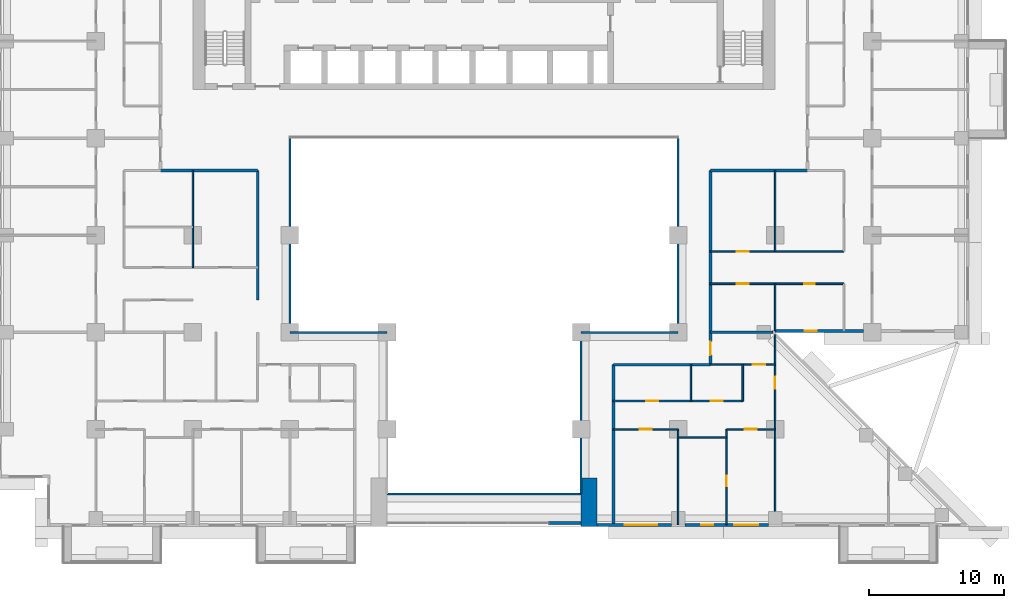
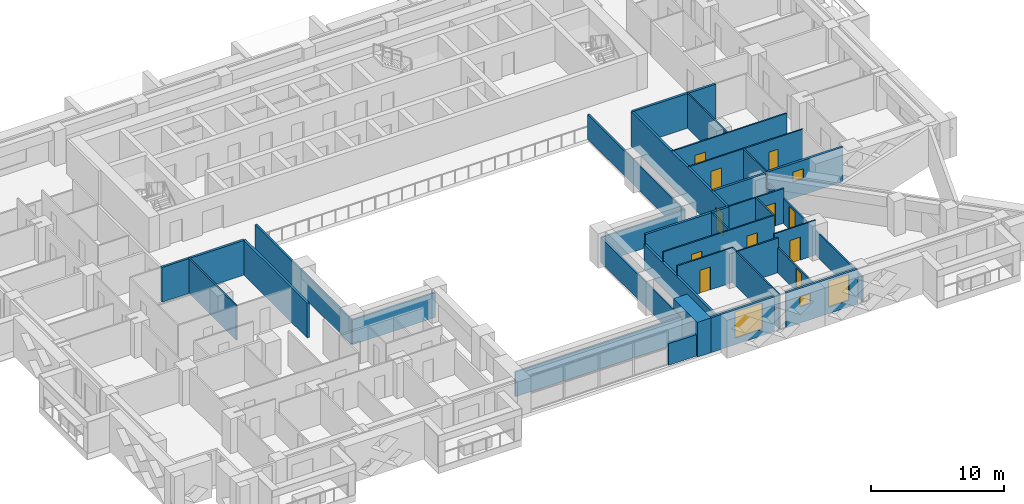
# One storey, part 8 of 17: 33 walls, 11 doors, 4 windows, 15 openings.
"""IFC4 building model written with IfcOpenShell, lengths in metres."""

from ifc_helpers import new_model, si_unit, direction, frame, frame_2d, origin, place, context, subcontext, project, spatial, rectangle, extrude, material, layer, layer_set, type_object, element, fill, save


model = new_model("IFC4")

# Units and contexts
model_context = context("Model", 3, precision=1e-05, world=origin(), true_north=direction((0.0, 1.0)))
body_context = subcontext(model_context, "Body", "Model", "MODEL_VIEW")
ifc_project = project(units=[si_unit("LENGTHUNIT", "METRE"), si_unit("AREAUNIT", "SQUARE_METRE"), si_unit("VOLUMEUNIT", "CUBIC_METRE"), si_unit("PLANEANGLEUNIT", "RADIAN"), si_unit("MASSUNIT", "GRAM", prefix="KILO")], contexts=[model_context])

# Site, building, storey
site_placement = place(None, origin())
site = spatial("IfcSite", under=ifc_project, at=site_placement, CompositionType="ELEMENT")
building_placement = place(site_placement, origin())
building = spatial("IfcBuilding", under=site, at=building_placement, Name="Saffron Iwan Residences", CompositionType="ELEMENT")
storey_placement = place(building_placement, frame((0.0, 0.0, 76.0)))
storey = spatial("IfcBuildingStorey", under=building, at=storey_placement, Name="L19", CompositionType="ELEMENT", Elevation=76.0)

# Walls
ifc_material_1 = material(Name="Fire-rated glazing", Category="glass")
ifc_layer_1 = layer(ifc_material_1, 0.14990234375)
ifc_layer_set_1 = layer_set([ifc_layer_1], Name="Fire-rated glazing")
wall_type_1 = type_object("IfcWallType", Name="Atrium glazed screen 150", PredefinedType="SOLIDWALL", material=ifc_layer_set_1)
wall_1_placement = place(storey_placement, frame((43.199951171875, 36.0, 0.0), z_axis=(0.0, 0.0, 1.0), x_axis=(1.0, 0.0, 0.0)))
element("IfcWall", 1, at=wall_1_placement, inside=storey, type_object=wall_type_1, Name="W-L19-SCREEN-h36-43.2", PredefinedType="SOLIDWALL", context=body_context, shape_type="SweptSolid", body=[
    extrude(rectangle(XDim=14.400146484375, YDim=0.14990234375, at=frame_2d((7.2001953125, 0.0))), origin(), (0.0, 0.0, 1.0), 2.280029296875),
])
for number, where, z_axis, x_axis, name in (
    (2, (36.0, 48.0, 0.0), (0.0, 0.0, 1.0), (1.0, 0.0, 0.0), "W-L19-SCREEN-h48-36"),
    (3, (57.60009765625, 48.0, 0.0), (0.0, 0.0, 1.0), (1.0, 0.0, 0.0), "W-L19-SCREEN-h48-57.6"),
):
    element("IfcWall", number, at=place(storey_placement, frame(where, z_axis=z_axis, x_axis=x_axis)), inside=storey, type_object=wall_type_1, Name=name, PredefinedType="SOLIDWALL", context=body_context, shape_type="SweptSolid", body=[
        extrude(rectangle(XDim=7.199951171875, YDim=0.14990234375, at=frame_2d((3.60009765625, 0.0))), origin(), (0.0, 0.0, 1.0), 2.280029296875),
    ])
wall_2_placement = place(storey_placement, frame((36.0, 48.0, 0.0), z_axis=(0.0, 0.0, 1.0), x_axis=(0.0, 1.0, 0.0)))
element("IfcWall", 4, at=wall_2_placement, inside=storey, type_object=wall_type_1, Name="W-L19-SCREEN-v36-48", PredefinedType="SOLIDWALL", context=body_context, shape_type="SweptSolid", body=[
    extrude(rectangle(XDim=14.39990234375, YDim=0.14990234375, at=frame_2d((7.199951171875, 0.0))), origin(), (0.0, 0.0, 1.0), 2.280029296875),
])
wall_3_placement = place(storey_placement, frame((57.60009765625, 36.0, 0.0), z_axis=(0.0, 0.0, 1.0), x_axis=(0.0, 1.0, 0.0)))
element("IfcWall", 5, at=wall_3_placement, inside=storey, type_object=wall_type_1, Name="W-L19-SCREEN-v57.6-36", PredefinedType="SOLIDWALL", context=body_context, shape_type="SweptSolid", body=[
    extrude(rectangle(XDim=12.0, YDim=0.14990234375, at=frame_2d((6.0, 0.0))), origin(), (0.0, 0.0, 1.0), 2.280029296875),
])
wall_4_placement = place(storey_placement, frame((64.800048828125, 48.0, 0.0), z_axis=(0.0, 0.0, 1.0), x_axis=(0.0, 1.0, 0.0)))
element("IfcWall", 6, at=wall_4_placement, inside=storey, type_object=wall_type_1, Name="W-L19-SCREEN-v64.8-48", PredefinedType="SOLIDWALL", context=body_context, shape_type="SweptSolid", body=[
    extrude(rectangle(XDim=14.39990234375, YDim=0.14990234375, at=frame_2d((7.199951171875, 0.0))), origin(), (0.0, 0.0, 1.0), 2.280029296875),
])

# Wall, opening, window
ifc_material_2 = material(Name="Concrete C40/50", Category="concrete")
ifc_layer_2 = layer(ifc_material_2, 0.199951171875)
ifc_layer_set_2 = layer_set([ifc_layer_2], Name="Concrete C40/50")
wall_type_2 = type_object("IfcWallType", Name="EXTERNAL WALL 200", PredefinedType="SOLIDWALL", material=ifc_layer_set_2)
wall_5_placement = place(storey_placement, frame((71.988525390625, 48.10009765625, 0.0), z_axis=(0.0, 0.0, 1.0), x_axis=(1.0, 0.0, 0.0)))
wall_5 = element("IfcWall", 7, at=wall_5_placement, inside=storey, type_object=wall_type_2, Name="External wall L19 F1.0", PredefinedType="SOLIDWALL", context=body_context, shape_type="SweptSolid", body=[
    extrude(rectangle(XDim=6.5615234375, YDim=0.199951171875, at=frame_2d((3.28076171875, 0.0))), origin(), (0.0, 0.0, 1.0), 3.179931640625),
])
opening_1_placement = place(wall_5_placement, frame((2.205810546875, 0.0, 1.5)))
opening_1 = element("IfcOpeningElement", 8, at=opening_1_placement, cuts=wall_5, Name="Opening W6", PredefinedType="OPENING", context=body_context, shape_type="SweptSolid", body=[
    extrude(rectangle(XDim=0.89990234375, YDim=0.89990234375, at=frame_2d((0.449951171875, 0.449951171875))), frame((0.0, 0.10986328125, 0.0), z_axis=(0.0, -1.0, 0.0), x_axis=(1.0, 0.0, 0.0)), (0.0, 0.0, 1.0), 0.219970703125),
])
ifc_material_3 = material(Name="Clear glass, laminated double glazed", Category="glass")
window_type_1 = type_object("IfcWindowType", Name="WINDOW 900 x 900 BATH", PartitioningType="SINGLE_PANEL", PredefinedType="WINDOW", material=ifc_material_3)
window_1_placement = place(opening_1_placement, origin())
window_1 = element("IfcWindow", 9, at=window_1_placement, inside=storey, type_object=window_type_1, Name="Window L19 F1.0", OverallHeight=0.89990234375, OverallWidth=0.89990234375, PartitioningType="SINGLE_PANEL", PredefinedType="WINDOW", context=body_context, shape_type="SweptSolid", body=[
    extrude(rectangle(XDim=0.89990234375, YDim=0.89990234375, at=frame_2d((0.449951171875, 0.449951171875))), frame((0.0, 0.030029296875, 0.0), z_axis=(0.0, -1.0, 0.0), x_axis=(1.0, 0.0, 0.0)), (0.0, 0.0, 1.0), 0.06005859375),
])
fill(opening_1, window_1)

wall_6_placement = place(storey_placement, frame((58.800048828125, 33.699951171875, 0.0), z_axis=(0.0, 0.0, 1.0), x_axis=(1.0, 0.0, 0.0)))
wall_6 = element("IfcWall", 10, at=wall_6_placement, inside=storey, type_object=wall_type_2, Name="External wall L19 F11.4", PredefinedType="SOLIDWALL", context=body_context, shape_type="SweptSolid", body=[
    extrude(rectangle(XDim=5.5, YDim=0.199951171875, at=frame_2d((2.75, 0.0))), origin(), (0.0, 0.0, 1.0), 3.179931640625),
])
opening_2_placement = place(wall_6_placement, frame((2.050048828125, 0.0, 0.60009765625)))
opening_2 = element("IfcOpeningElement", 11, at=opening_2_placement, cuts=wall_6, Name="Opening W1", PredefinedType="OPENING", context=body_context, shape_type="SweptSolid", body=[
    extrude(rectangle(XDim=2.39990234375, YDim=2.39990234375, at=frame_2d((1.199951171875, 1.199951171875))), frame((0.0, 0.10986328125, 0.0), z_axis=(0.0, -1.0, 0.0), x_axis=(1.0, 0.0, 0.0)), (0.0, 0.0, 1.0), 0.219970703125),
])
window_type_2 = type_object("IfcWindowType", Name="WINDOW 2400 x 2400", PartitioningType="DOUBLE_PANEL_VERTICAL", PredefinedType="WINDOW", material=ifc_material_3)
window_2_placement = place(opening_2_placement, origin())
window_2 = element("IfcWindow", 12, at=window_2_placement, inside=storey, type_object=window_type_2, Name="Window L19 F11.0", OverallHeight=2.39990234375, OverallWidth=2.39990234375, PartitioningType="DOUBLE_PANEL_VERTICAL", PredefinedType="WINDOW", context=body_context, shape_type="SweptSolid", body=[
    extrude(rectangle(XDim=2.39990234375, YDim=2.39990234375, at=frame_2d((1.199951171875, 1.199951171875))), frame((0.0, 0.030029296875, 0.0), z_axis=(0.0, -1.0, 0.0), x_axis=(1.0, 0.0, 0.0)), (0.0, 0.0, 1.0), 0.06005859375),
])
fill(opening_2, window_2)

# Wall, openings, windows
wall_7_placement = place(storey_placement, frame((65.300048828125, 33.699951171875, 0.0), z_axis=(0.0, 0.0, 1.0), x_axis=(1.0, 0.0, 0.0)))
wall_7 = element("IfcWall", 13, at=wall_7_placement, inside=storey, type_object=wall_type_2, Name="External wall L19 F11.5", PredefinedType="SOLIDWALL", context=body_context, shape_type="SweptSolid", body=[
    extrude(rectangle(XDim=6.199951171875, YDim=0.199951171875, at=frame_2d((3.10009765625, 0.0))), origin(), (0.0, 0.0, 1.0), 3.179931640625),
])
opening_3_placement = place(wall_7_placement, frame((3.64990234375, 0.0, 0.60009765625)))
opening_3 = element("IfcOpeningElement", 14, at=opening_3_placement, cuts=wall_7, Name="Opening W8", PredefinedType="OPENING", context=body_context, shape_type="SweptSolid", body=[
    extrude(rectangle(XDim=1.800048828125, YDim=2.39990234375, at=frame_2d((0.89990234375, 1.199951171875))), frame((0.0, 0.10986328125, 0.0), z_axis=(0.0, -1.0, 0.0), x_axis=(1.0, 0.0, 0.0)), (0.0, 0.0, 1.0), 0.219970703125),
])
opening_4_placement = place(wall_7_placement, frame((1.199951171875, 0.0, 1.5)))
opening_4 = element("IfcOpeningElement", 15, at=opening_4_placement, cuts=wall_7, Name="Opening W6", PredefinedType="OPENING", context=body_context, shape_type="SweptSolid", body=[
    extrude(rectangle(XDim=0.89990234375, YDim=0.89990234375, at=frame_2d((0.449951171875, 0.449951171875))), frame((0.0, 0.10986328125, 0.0), z_axis=(0.0, -1.0, 0.0), x_axis=(1.0, 0.0, 0.0)), (0.0, 0.0, 1.0), 0.219970703125),
])
window_type_3 = type_object("IfcWindowType", Name="WINDOW 1800 x 2400", PartitioningType="DOUBLE_PANEL_VERTICAL", PredefinedType="WINDOW", material=ifc_material_3)
window_3_placement = place(opening_3_placement, origin())
window_3 = element("IfcWindow", 16, at=window_3_placement, inside=storey, type_object=window_type_3, Name="Window L19 F11.0", OverallHeight=2.39990234375, OverallWidth=1.800048828125, PartitioningType="DOUBLE_PANEL_VERTICAL", PredefinedType="WINDOW", context=body_context, shape_type="SweptSolid", body=[
    extrude(rectangle(XDim=1.800048828125, YDim=2.39990234375, at=frame_2d((0.89990234375, 1.199951171875))), frame((0.0, 0.030029296875, 0.0), z_axis=(0.0, -1.0, 0.0), x_axis=(1.0, 0.0, 0.0)), (0.0, 0.0, 1.0), 0.06005859375),
])
fill(opening_3, window_3)
window_4_placement = place(opening_4_placement, origin())
window_4 = element("IfcWindow", 17, at=window_4_placement, inside=storey, type_object=window_type_1, Name="Window L19 F11.1", OverallHeight=0.89990234375, OverallWidth=0.89990234375, PartitioningType="SINGLE_PANEL", PredefinedType="WINDOW", context=body_context, shape_type="SweptSolid", body=[
    extrude(rectangle(XDim=0.89990234375, YDim=0.89990234375, at=frame_2d((0.449951171875, 0.449951171875))), frame((0.0, 0.030029296875, 0.0), z_axis=(0.0, -1.0, 0.0), x_axis=(1.0, 0.0, 0.0)), (0.0, 0.0, 1.0), 0.06005859375),
])
fill(opening_4, window_4)

# Walls
wall_8_placement = place(storey_placement, frame((55.199951171875, 33.85009765625, 0.0), z_axis=(0.0, 0.0, 1.0), x_axis=(1.0, 0.0, 0.0)))
element("IfcWall", 18, at=wall_8_placement, inside=storey, type_object=wall_type_2, Name="External wall infill CWB-L19-0", PredefinedType="SOLIDWALL", context=body_context, shape_type="SweptSolid", body=[
    extrude(rectangle(XDim=2.400146484375, YDim=0.199951171875, at=frame_2d((1.2001953125, 0.0))), origin(), (0.0, 0.0, 1.0), 1.97998046875),
])
ifc_material_4 = material(Name="Fire-rated gypsum board wall")
ifc_layer_3 = layer(ifc_material_4, 0.199951171875)
ifc_layer_set_3 = layer_set([ifc_layer_3], Name="Fire-rated gypsum board wall")
wall_type_3 = type_object("IfcWallType", Name="Flat demising wall 200", PredefinedType="SOLIDWALL", material=ifc_layer_set_3)
wall_9_placement = place(storey_placement, frame((67.199951171875, 48.0, 0.0), z_axis=(0.0, 0.0, 1.0), x_axis=(1.0, 0.0, 0.0)))
element("IfcWall", 19, at=wall_9_placement, inside=storey, type_object=wall_type_3, Name="W-L19-DEMISE-h48-67.2", PredefinedType="SOLIDWALL", context=body_context, shape_type="SweptSolid", body=[
    extrude(rectangle(XDim=4.623046875, YDim=0.199951171875, at=frame_2d((2.3115234375, 0.0))), origin(), (0.0, 0.0, 1.0), 3.179931640625),
])
ifc_material_5 = material(Name="Gypsum board partition")
ifc_layer_4 = layer(ifc_material_5, 0.1201171875)
ifc_layer_set_4 = layer_set([ifc_layer_4], Name="Gypsum board partition")
wall_type_4 = type_object("IfcWallType", Name="Flat partition 120", PredefinedType="PARTITIONING", material=ifc_layer_set_4)
wall_10_placement = place(storey_placement, frame((64.800048828125, 40.199951171875, 0.0), z_axis=(0.0, 0.0, 1.0), x_axis=(1.0, 0.0, 0.0)))
element("IfcWall", 20, at=wall_10_placement, inside=storey, type_object=wall_type_4, Name="W-L19-PART-h40.2-64.8", PredefinedType="PARTITIONING", context=body_context, shape_type="SweptSolid", body=[
    extrude(rectangle(XDim=3.599853515625, YDim=0.1201171875, at=frame_2d((1.7998046875, 0.0))), origin(), (0.0, 0.0, 1.0), 3.179931640625),
])

# Wall, opening, door
wall_11_placement = place(storey_placement, frame((60.0, 40.800048828125, 0.0), z_axis=(0.0, 0.0, 1.0), x_axis=(1.0, 0.0, 0.0)))
wall_11 = element("IfcWall", 21, at=wall_11_placement, inside=storey, type_object=wall_type_4, Name="W-L19-PART-h40.8-60", PredefinedType="PARTITIONING", context=body_context, shape_type="SweptSolid", body=[
    extrude(rectangle(XDim=4.800048828125, YDim=0.1201171875, at=frame_2d((2.39990234375, 0.0))), origin(), (0.0, 0.0, 1.0), 3.179931640625),
])
opening_5_placement = place(wall_11_placement, frame((1.949951171875, 0.0, 0.0)))
opening_5 = element("IfcOpeningElement", 22, at=opening_5_placement, cuts=wall_11, Name="Opening FD2", PredefinedType="OPENING", context=body_context, shape_type="SweptSolid", body=[
    extrude(rectangle(XDim=0.89990234375, YDim=2.10009765625, at=frame_2d((0.449951171875, 1.050048828125))), frame((0.0, 0.070068359375, 0.0), z_axis=(0.0, -1.0, 0.0), x_axis=(1.0, 0.0, 0.0)), (0.0, 0.0, 1.0), 0.14013671875),
])
ifc_material_6 = material(Name="Timber door", Category="wood")
door_type_1 = type_object("IfcDoorType", Name="Flat door 900", OperationType="NOTDEFINED", PredefinedType="DOOR", material=ifc_material_6)
door_1_placement = place(opening_5_placement, origin())
door_1 = element("IfcDoor", 23, at=door_1_placement, inside=storey, type_object=door_type_1, Name="Door L19-047", OperationType="SINGLE_SWING_LEFT", OverallHeight=2.10009765625, OverallWidth=0.89990234375, PredefinedType="DOOR", context=body_context, shape_type="SweptSolid", body=[
    extrude(rectangle(XDim=0.89990234375, YDim=2.10009765625, at=frame_2d((0.449951171875, 1.050048828125))), frame((0.0, 0.02490234375, 0.0), z_axis=(0.0, -1.0, 0.0), x_axis=(1.0, 0.0, 0.0)), (0.0, 0.0, 1.0), 0.050048828125),
])
fill(opening_5, door_1)

wall_12_placement = place(storey_placement, frame((68.39990234375, 40.800048828125, 0.0), z_axis=(0.0, 0.0, 1.0), x_axis=(1.0, 0.0, 0.0)))
wall_12 = element("IfcWall", 24, at=wall_12_placement, inside=storey, type_object=wall_type_4, Name="W-L19-PART-h40.8-68.4", PredefinedType="PARTITIONING", context=body_context, shape_type="SweptSolid", body=[
    extrude(rectangle(XDim=3.60009765625, YDim=0.1201171875, at=frame_2d((1.800048828125, 0.0))), origin(), (0.0, 0.0, 1.0), 3.179931640625),
])
opening_6_placement = place(wall_12_placement, frame((1.35009765625, 0.0, 0.0)))
opening_6 = element("IfcOpeningElement", 25, at=opening_6_placement, cuts=wall_12, Name="Opening FD2", PredefinedType="OPENING", context=body_context, shape_type="SweptSolid", body=[
    extrude(rectangle(XDim=0.89990234375, YDim=2.10009765625, at=frame_2d((0.449951171875, 1.050048828125))), frame((0.0, 0.070068359375, 0.0), z_axis=(0.0, -1.0, 0.0), x_axis=(1.0, 0.0, 0.0)), (0.0, 0.0, 1.0), 0.14013671875),
])
door_2_placement = place(opening_6_placement, origin())
door_2 = element("IfcDoor", 26, at=door_2_placement, inside=storey, type_object=door_type_1, Name="Door L19-045", OperationType="SINGLE_SWING_RIGHT", OverallHeight=2.10009765625, OverallWidth=0.89990234375, PredefinedType="DOOR", context=body_context, shape_type="SweptSolid", body=[
    extrude(rectangle(XDim=0.89990234375, YDim=2.10009765625, at=frame_2d((0.449951171875, 1.050048828125))), frame((0.0, 0.02490234375, 0.0), z_axis=(0.0, -1.0, 0.0), x_axis=(1.0, 0.0, 0.0)), (0.0, 0.0, 1.0), 0.050048828125),
])
fill(opening_6, door_2)

# Wall, openings, doors
wall_13_placement = place(storey_placement, frame((60.0, 42.89990234375, 0.0), z_axis=(0.0, 0.0, 1.0), x_axis=(1.0, 0.0, 0.0)))
wall_13 = element("IfcWall", 27, at=wall_13_placement, inside=storey, type_object=wall_type_4, Name="W-L19-PART-h42.9-60", PredefinedType="PARTITIONING", context=body_context, shape_type="SweptSolid", body=[
    extrude(rectangle(XDim=9.60009765625, YDim=0.1201171875, at=frame_2d((4.800048828125, 0.0))), origin(), (0.0, 0.0, 1.0), 3.179931640625),
])
opening_7_placement = place(wall_13_placement, frame((7.22509765625, 0.0, 0.0)))
opening_7 = element("IfcOpeningElement", 28, at=opening_7_placement, cuts=wall_13, Name="Opening FD2", PredefinedType="OPENING", context=body_context, shape_type="SweptSolid", body=[
    extrude(rectangle(XDim=0.89990234375, YDim=2.10009765625, at=frame_2d((0.449951171875, 1.050048828125))), frame((0.0, 0.070068359375, 0.0), z_axis=(0.0, -1.0, 0.0), x_axis=(1.0, 0.0, 0.0)), (0.0, 0.0, 1.0), 0.14013671875),
])
opening_8_placement = place(wall_13_placement, frame((2.425048828125, 0.0, 0.0)))
opening_8 = element("IfcOpeningElement", 29, at=opening_8_placement, cuts=wall_13, Name="Opening FD2", PredefinedType="OPENING", context=body_context, shape_type="SweptSolid", body=[
    extrude(rectangle(XDim=0.89990234375, YDim=2.10009765625, at=frame_2d((0.449951171875, 1.050048828125))), frame((0.0, 0.070068359375, 0.0), z_axis=(0.0, -1.0, 0.0), x_axis=(1.0, 0.0, 0.0)), (0.0, 0.0, 1.0), 0.14013671875),
])
door_3_placement = place(opening_7_placement, origin())
door_3 = element("IfcDoor", 30, at=door_3_placement, inside=storey, type_object=door_type_1, Name="Door L19-048", OperationType="SINGLE_SWING_RIGHT", OverallHeight=2.10009765625, OverallWidth=0.89990234375, PredefinedType="DOOR", context=body_context, shape_type="SweptSolid", body=[
    extrude(rectangle(XDim=0.89990234375, YDim=2.10009765625, at=frame_2d((0.449951171875, 1.050048828125))), frame((0.0, 0.02490234375, 0.0), z_axis=(0.0, -1.0, 0.0), x_axis=(1.0, 0.0, 0.0)), (0.0, 0.0, 1.0), 0.050048828125),
])
fill(opening_7, door_3)
door_4_placement = place(opening_8_placement, origin())
door_4 = element("IfcDoor", 31, at=door_4_placement, inside=storey, type_object=door_type_1, Name="Door L19-049", OperationType="SINGLE_SWING_LEFT", OverallHeight=2.10009765625, OverallWidth=0.89990234375, PredefinedType="DOOR", context=body_context, shape_type="SweptSolid", body=[
    extrude(rectangle(XDim=0.89990234375, YDim=2.10009765625, at=frame_2d((0.449951171875, 1.050048828125))), frame((0.0, 0.02490234375, 0.0), z_axis=(0.0, -1.0, 0.0), x_axis=(1.0, 0.0, 0.0)), (0.0, 0.0, 1.0), 0.050048828125),
])
fill(opening_8, door_4)

# Wall, opening, door
wall_14_placement = place(storey_placement, frame((67.199951171875, 45.60009765625, 0.0), z_axis=(0.0, 0.0, 1.0), x_axis=(1.0, 0.0, 0.0)))
wall_14 = element("IfcWall", 32, at=wall_14_placement, inside=storey, type_object=wall_type_4, Name="W-L19-PART-h45.6-67.2", PredefinedType="PARTITIONING", context=body_context, shape_type="SweptSolid", body=[
    extrude(rectangle(XDim=4.800048828125, YDim=0.1201171875, at=frame_2d((2.39990234375, 0.0))), origin(), (0.0, 0.0, 1.0), 3.179931640625),
])
opening_9_placement = place(wall_14_placement, frame((3.14990234375, 0.0, 0.0)))
opening_9 = element("IfcOpeningElement", 33, at=opening_9_placement, cuts=wall_14, Name="Opening FD2", PredefinedType="OPENING", context=body_context, shape_type="SweptSolid", body=[
    extrude(rectangle(XDim=0.89990234375, YDim=2.10009765625, at=frame_2d((0.449951171875, 1.050048828125))), frame((0.0, 0.070068359375, 0.0), z_axis=(0.0, -1.0, 0.0), x_axis=(1.0, 0.0, 0.0)), (0.0, 0.0, 1.0), 0.14013671875),
])
door_5_placement = place(opening_9_placement, origin())
door_5 = element("IfcDoor", 34, at=door_5_placement, inside=storey, type_object=door_type_1, Name="Door L19-043", OperationType="SINGLE_SWING_LEFT", OverallHeight=2.10009765625, OverallWidth=0.89990234375, PredefinedType="DOOR", context=body_context, shape_type="SweptSolid", body=[
    extrude(rectangle(XDim=0.89990234375, YDim=2.10009765625, at=frame_2d((0.449951171875, 1.050048828125))), frame((0.0, 0.02490234375, 0.0), z_axis=(0.0, -1.0, 0.0), x_axis=(1.0, 0.0, 0.0)), (0.0, 0.0, 1.0), 0.050048828125),
])
fill(opening_9, door_5)

# Wall, openings, doors
wall_15_placement = place(storey_placement, frame((67.199951171875, 51.60009765625, 0.0), z_axis=(0.0, 0.0, 1.0), x_axis=(1.0, 0.0, 0.0)))
wall_15 = element("IfcWall", 35, at=wall_15_placement, inside=storey, type_object=wall_type_4, Name="W-L19-PART-h51.6-67.2", PredefinedType="PARTITIONING", context=body_context, shape_type="SweptSolid", body=[
    extrude(rectangle(XDim=9.900146484375, YDim=0.1201171875, at=frame_2d((4.9501953125, 0.0))), origin(), (0.0, 0.0, 1.0), 3.179931640625),
])
opening_10_placement = place(wall_15_placement, frame((6.949951171875, 0.0, 0.0)))
opening_10 = element("IfcOpeningElement", 36, at=opening_10_placement, cuts=wall_15, Name="Opening FD3", PredefinedType="OPENING", context=body_context, shape_type="SweptSolid", body=[
    extrude(rectangle(XDim=0.800048828125, YDim=2.10009765625, at=frame_2d((0.39990234375, 1.050048828125))), frame((0.0, 0.070068359375, 0.0), z_axis=(0.0, -1.0, 0.0), x_axis=(1.0, 0.0, 0.0)), (0.0, 0.0, 1.0), 0.14013671875),
])
opening_11_placement = place(wall_15_placement, frame((1.949951171875, 0.0, 0.0)))
opening_11 = element("IfcOpeningElement", 37, at=opening_11_placement, cuts=wall_15, Name="Opening FD2", PredefinedType="OPENING", context=body_context, shape_type="SweptSolid", body=[
    extrude(rectangle(XDim=0.89990234375, YDim=2.10009765625, at=frame_2d((0.449951171875, 1.050048828125))), frame((0.0, 0.070068359375, 0.0), z_axis=(0.0, -1.0, 0.0), x_axis=(1.0, 0.0, 0.0)), (0.0, 0.0, 1.0), 0.14013671875),
])
door_type_2 = type_object("IfcDoorType", Name="Bathroom door 800", OperationType="NOTDEFINED", PredefinedType="DOOR", material=ifc_material_6)
door_6_placement = place(opening_10_placement, origin())
door_6 = element("IfcDoor", 38, at=door_6_placement, inside=storey, type_object=door_type_2, Name="Door L19-025", OperationType="SINGLE_SWING_LEFT", OverallHeight=2.10009765625, OverallWidth=0.800048828125, PredefinedType="DOOR", context=body_context, shape_type="SweptSolid", body=[
    extrude(rectangle(XDim=0.800048828125, YDim=2.10009765625, at=frame_2d((0.39990234375, 1.050048828125))), frame((0.0, 0.02490234375, 0.0), z_axis=(0.0, -1.0, 0.0), x_axis=(1.0, 0.0, 0.0)), (0.0, 0.0, 1.0), 0.050048828125),
])
fill(opening_10, door_6)
door_7_placement = place(opening_11_placement, origin())
door_7 = element("IfcDoor", 39, at=door_7_placement, inside=storey, type_object=door_type_1, Name="Door L19-027", OperationType="SINGLE_SWING_RIGHT", OverallHeight=2.10009765625, OverallWidth=0.89990234375, PredefinedType="DOOR", context=body_context, shape_type="SweptSolid", body=[
    extrude(rectangle(XDim=0.89990234375, YDim=2.10009765625, at=frame_2d((0.449951171875, 1.050048828125))), frame((0.0, 0.02490234375, 0.0), z_axis=(0.0, -1.0, 0.0), x_axis=(1.0, 0.0, 0.0)), (0.0, 0.0, 1.0), 0.050048828125),
])
fill(opening_11, door_7)

# Wall, opening, door
wall_16_placement = place(storey_placement, frame((67.199951171875, 54.0, 0.0), z_axis=(0.0, 0.0, 1.0), x_axis=(1.0, 0.0, 0.0)))
wall_16 = element("IfcWall", 40, at=wall_16_placement, inside=storey, type_object=wall_type_4, Name="W-L19-PART-h54-67.2", PredefinedType="PARTITIONING", context=body_context, shape_type="SweptSolid", body=[
    extrude(rectangle(XDim=9.900146484375, YDim=0.1201171875, at=frame_2d((4.9501953125, 0.0))), origin(), (0.0, 0.0, 1.0), 3.179931640625),
])
opening_12_placement = place(wall_16_placement, frame((1.949951171875, 0.0, 0.0)))
opening_12 = element("IfcOpeningElement", 41, at=opening_12_placement, cuts=wall_16, Name="Opening FD2", PredefinedType="OPENING", context=body_context, shape_type="SweptSolid", body=[
    extrude(rectangle(XDim=0.89990234375, YDim=2.10009765625, at=frame_2d((0.449951171875, 1.050048828125))), frame((0.0, 0.070068359375, 0.0), z_axis=(0.0, -1.0, 0.0), x_axis=(1.0, 0.0, 0.0)), (0.0, 0.0, 1.0), 0.14013671875),
])
door_8_placement = place(opening_12_placement, origin())
door_8 = element("IfcDoor", 42, at=door_8_placement, inside=storey, type_object=door_type_1, Name="Door L19-028", OperationType="SINGLE_SWING_LEFT", OverallHeight=2.10009765625, OverallWidth=0.89990234375, PredefinedType="DOOR", context=body_context, shape_type="SweptSolid", body=[
    extrude(rectangle(XDim=0.89990234375, YDim=2.10009765625, at=frame_2d((0.449951171875, 1.050048828125))), frame((0.0, 0.02490234375, 0.0), z_axis=(0.0, -1.0, 0.0), x_axis=(1.0, 0.0, 0.0)), (0.0, 0.0, 1.0), 0.050048828125),
])
fill(opening_12, door_8)

# Walls
wall_17_placement = place(storey_placement, frame((28.800048828125, 52.800048828125, 0.0), z_axis=(0.0, 0.0, 1.0), x_axis=(0.0, 1.0, 0.0)))
element("IfcWall", 43, at=wall_17_placement, inside=storey, type_object=wall_type_4, Name="W-L19-PART-v28.8-52.8", PredefinedType="PARTITIONING", context=body_context, shape_type="SweptSolid", body=[
    extrude(rectangle(XDim=7.199951171875, YDim=0.1201171875, at=frame_2d((3.60009765625, 0.0))), origin(), (0.0, 0.0, 1.0), 3.179931640625),
])
wall_18_placement = place(storey_placement, frame((64.800048828125, 33.72509765625, 0.0), z_axis=(0.0, 0.0, 1.0), x_axis=(0.0, 1.0, 0.0)))
element("IfcWall", 44, at=wall_18_placement, inside=storey, type_object=wall_type_4, Name="W-L19-PART-v64.8-33.725", PredefinedType="PARTITIONING", context=body_context, shape_type="SweptSolid", body=[
    extrude(rectangle(XDim=7.074951171875, YDim=0.1201171875, at=frame_2d((3.53759765625, 0.0))), origin(), (0.0, 0.0, 1.0), 3.179931640625),
])
wall_19_placement = place(storey_placement, frame((65.75, 42.89990234375, 0.0), z_axis=(0.0, 0.0, 1.0), x_axis=(0.0, 1.0, 0.0)))
element("IfcWall", 45, at=wall_19_placement, inside=storey, type_object=wall_type_4, Name="W-L19-PART-v65.75-42.9", PredefinedType="PARTITIONING", context=body_context, shape_type="SweptSolid", body=[
    extrude(rectangle(XDim=2.7001953125, YDim=0.1201171875, at=frame_2d((1.35009765625, 0.0))), origin(), (0.0, 0.0, 1.0), 3.179931640625),
])

# Wall, opening, door
wall_20_placement = place(storey_placement, frame((68.39990234375, 33.72509765625, 0.0), z_axis=(0.0, 0.0, 1.0), x_axis=(0.0, 1.0, 0.0)))
wall_20 = element("IfcWall", 46, at=wall_20_placement, inside=storey, type_object=wall_type_4, Name="W-L19-PART-v68.4-33.725", PredefinedType="PARTITIONING", context=body_context, shape_type="SweptSolid", body=[
    extrude(rectangle(XDim=7.074951171875, YDim=0.1201171875, at=frame_2d((3.53759765625, 0.0))), origin(), (0.0, 0.0, 1.0), 2.280029296875),
])
opening_13_placement = place(wall_20_placement, frame((2.83740234375, 0.0, 0.0)))
opening_13 = element("IfcOpeningElement", 47, at=opening_13_placement, cuts=wall_20, Name="Opening FD3", PredefinedType="OPENING", context=body_context, shape_type="SweptSolid", body=[
    extrude(rectangle(XDim=0.800048828125, YDim=2.10009765625, at=frame_2d((0.39990234375, 1.050048828125))), frame((0.0, 0.070068359375, 0.0), z_axis=(0.0, -1.0, 0.0), x_axis=(1.0, 0.0, 0.0)), (0.0, 0.0, 1.0), 0.14013671875),
])
door_9_placement = place(opening_13_placement, origin())
door_9 = element("IfcDoor", 48, at=door_9_placement, inside=storey, type_object=door_type_2, Name="Door L19-046", OperationType="SINGLE_SWING_LEFT", OverallHeight=2.10009765625, OverallWidth=0.800048828125, PredefinedType="DOOR", context=body_context, shape_type="SweptSolid", body=[
    extrude(rectangle(XDim=0.800048828125, YDim=2.10009765625, at=frame_2d((0.39990234375, 1.050048828125))), frame((0.0, 0.02490234375, 0.0), z_axis=(0.0, -1.0, 0.0), x_axis=(1.0, 0.0, 0.0)), (0.0, 0.0, 1.0), 0.050048828125),
])
fill(opening_13, door_9)

# Wall
wall_21_placement = place(storey_placement, frame((69.60009765625, 42.89990234375, 0.0), z_axis=(0.0, 0.0, 1.0), x_axis=(0.0, 1.0, 0.0)))
element("IfcWall", 49, at=wall_21_placement, inside=storey, type_object=wall_type_4, Name="W-L19-PART-v69.6-42.9", PredefinedType="PARTITIONING", context=body_context, shape_type="SweptSolid", body=[
    extrude(rectangle(XDim=2.7001953125, YDim=0.1201171875, at=frame_2d((1.35009765625, 0.0))), origin(), (0.0, 0.0, 1.0), 3.179931640625),
])

# Wall, opening, door
wall_22_placement = place(storey_placement, frame((72.0, 33.72509765625, 0.0), z_axis=(0.0, 0.0, 1.0), x_axis=(0.0, 1.0, 0.0)))
wall_22 = element("IfcWall", 50, at=wall_22_placement, inside=storey, type_object=wall_type_4, Name="W-L19-PART-v72-33.725", PredefinedType="PARTITIONING", context=body_context, shape_type="SweptSolid", body=[
    extrude(rectangle(XDim=14.097900390625, YDim=0.1201171875, at=frame_2d((7.048828125, 0.0))), origin(), (0.0, 0.0, 1.0), 2.280029296875),
])
opening_14_placement = place(wall_22_placement, frame((10.074951171875, 0.0, 0.0)))
opening_14 = element("IfcOpeningElement", 51, at=opening_14_placement, cuts=wall_22, Name="Opening FD2", PredefinedType="OPENING", context=body_context, shape_type="SweptSolid", body=[
    extrude(rectangle(XDim=0.89990234375, YDim=2.10009765625, at=frame_2d((0.449951171875, 1.050048828125))), frame((0.0, 0.070068359375, 0.0), z_axis=(0.0, -1.0, 0.0), x_axis=(1.0, 0.0, 0.0)), (0.0, 0.0, 1.0), 0.14013671875),
])
door_10_placement = place(opening_14_placement, origin())
door_10 = element("IfcDoor", 52, at=door_10_placement, inside=storey, type_object=door_type_1, Name="Door L19-050", OperationType="SINGLE_SWING_LEFT", OverallHeight=2.10009765625, OverallWidth=0.89990234375, PredefinedType="DOOR", context=body_context, shape_type="SweptSolid", body=[
    extrude(rectangle(XDim=0.89990234375, YDim=2.10009765625, at=frame_2d((0.449951171875, 1.050048828125))), frame((0.0, 0.02490234375, 0.0), z_axis=(0.0, -1.0, 0.0), x_axis=(1.0, 0.0, 0.0)), (0.0, 0.0, 1.0), 0.050048828125),
])
fill(opening_14, door_10)

# Walls
wall_23_placement = place(storey_placement, frame((72.0, 48.125, 0.0), z_axis=(0.0, 0.0, 1.0), x_axis=(0.0, 1.0, 0.0)))
element("IfcWall", 53, at=wall_23_placement, inside=storey, type_object=wall_type_4, Name="W-L19-PART-v72-48.125", PredefinedType="PARTITIONING", context=body_context, shape_type="SweptSolid", body=[
    extrude(rectangle(XDim=3.47509765625, YDim=0.1201171875, at=frame_2d((1.737548828125, 0.0))), origin(), (0.0, 0.0, 1.0), 3.179931640625),
])
wall_24_placement = place(storey_placement, frame((72.0, 54.0, 0.0), z_axis=(0.0, 0.0, 1.0), x_axis=(0.0, 1.0, 0.0)))
element("IfcWall", 54, at=wall_24_placement, inside=storey, type_object=wall_type_4, Name="W-L19-PART-v72-54", PredefinedType="PARTITIONING", context=body_context, shape_type="SweptSolid", body=[
    extrude(rectangle(XDim=6.0, YDim=0.1201171875, at=frame_2d((3.0, 0.0))), origin(), (0.0, 0.0, 1.0), 3.179931640625),
])
ifc_layer_5 = layer(ifc_material_4, 0.199951171875)
ifc_layer_set_5 = layer_set([ifc_layer_5], Name="Fire-rated gypsum board wall")
wall_type_5 = type_object("IfcWallType", Name="Gallery wall 200", PredefinedType="SOLIDWALL", material=ifc_layer_set_5)
wall_25_placement = place(storey_placement, frame((60.0, 45.60009765625, 0.0), z_axis=(0.0, 0.0, 1.0), x_axis=(1.0, 0.0, 0.0)))
element("IfcWall", 55, at=wall_25_placement, inside=storey, type_object=wall_type_5, Name="W-L19-CORR-h45.6-60", PredefinedType="SOLIDWALL", context=body_context, shape_type="SweptSolid", body=[
    extrude(rectangle(XDim=7.199951171875, YDim=0.199951171875, at=frame_2d((3.60009765625, 0.0))), origin(), (0.0, 0.0, 1.0), 3.179931640625),
])
wall_26_placement = place(storey_placement, frame((26.39990234375, 60.0, 0.0), z_axis=(0.0, 0.0, 1.0), x_axis=(1.0, 0.0, 0.0)))
element("IfcWall", 56, at=wall_26_placement, inside=storey, type_object=wall_type_5, Name="W-L19-CORR-h60-26.4", PredefinedType="SOLIDWALL", context=body_context, shape_type="SweptSolid", body=[
    extrude(rectangle(XDim=7.2001953125, YDim=0.199951171875, at=frame_2d((3.60009765625, 0.0))), origin(), (0.0, 0.0, 1.0), 3.179931640625),
])
wall_27_placement = place(storey_placement, frame((67.199951171875, 60.0, 0.0), z_axis=(0.0, 0.0, 1.0), x_axis=(1.0, 0.0, 0.0)))
element("IfcWall", 57, at=wall_27_placement, inside=storey, type_object=wall_type_5, Name="W-L19-CORR-h60-67.2", PredefinedType="SOLIDWALL", context=body_context, shape_type="SweptSolid", body=[
    extrude(rectangle(XDim=7.199951171875, YDim=0.199951171875, at=frame_2d((3.60009765625, 0.0))), origin(), (0.0, 0.0, 1.0), 3.179931640625),
])
wall_28_placement = place(storey_placement, frame((33.60009765625, 50.39990234375, 0.0), z_axis=(0.0, 0.0, 1.0), x_axis=(0.0, 1.0, 0.0)))
element("IfcWall", 58, at=wall_28_placement, inside=storey, type_object=wall_type_5, Name="W-L19-CORR-v33.6-50.4", PredefinedType="SOLIDWALL", context=body_context, shape_type="SweptSolid", body=[
    extrude(rectangle(XDim=9.60009765625, YDim=0.199951171875, at=frame_2d((4.800048828125, 0.0))), origin(), (0.0, 0.0, 1.0), 3.179931640625),
])
wall_29_placement = place(storey_placement, frame((60.0, 33.72509765625, 0.0), z_axis=(0.0, 0.0, 1.0), x_axis=(0.0, 1.0, 0.0)))
element("IfcWall", 59, at=wall_29_placement, inside=storey, type_object=wall_type_5, Name="W-L19-CORR-v60-33.725", PredefinedType="SOLIDWALL", context=body_context, shape_type="SweptSolid", body=[
    extrude(rectangle(XDim=11.875, YDim=0.199951171875, at=frame_2d((5.9375, 0.0))), origin(), (0.0, 0.0, 1.0), 2.280029296875),
])

# Wall, opening, door
wall_30_placement = place(storey_placement, frame((67.199951171875, 45.60009765625, 0.0), z_axis=(0.0, 0.0, 1.0), x_axis=(0.0, 1.0, 0.0)))
wall_30 = element("IfcWall", 60, at=wall_30_placement, inside=storey, type_object=wall_type_5, Name="W-L19-CORR-v67.2-45.6", PredefinedType="SOLIDWALL", context=body_context, shape_type="SweptSolid", body=[
    extrude(rectangle(XDim=14.39990234375, YDim=0.199951171875, at=frame_2d((7.199951171875, 0.0))), origin(), (0.0, 0.0, 1.0), 3.179931640625),
])
opening_15_placement = place(wall_30_placement, frame((0.699951171875, 0.0, 0.0)))
opening_15 = element("IfcOpeningElement", 61, at=opening_15_placement, cuts=wall_30, Name="Opening FD5", PredefinedType="OPENING", context=body_context, shape_type="SweptSolid", body=[
    extrude(rectangle(XDim=1.0, YDim=2.10009765625, at=frame_2d((0.5, 1.050048828125))), frame((0.0, 0.10986328125, 0.0), z_axis=(0.0, -1.0, 0.0), x_axis=(1.0, 0.0, 0.0)), (0.0, 0.0, 1.0), 0.219970703125),
])
ifc_material_7 = material(Name="Fire-rated timber door", Category="wood")
door_type_3 = type_object("IfcDoorType", Name="Lobby door 1000", OperationType="NOTDEFINED", PredefinedType="DOOR", material=ifc_material_7)
door_11_placement = place(opening_15_placement, origin())
door_11 = element("IfcDoor", 62, at=door_11_placement, inside=storey, type_object=door_type_3, Name="Door L19-044", OperationType="SINGLE_SWING_LEFT", OverallHeight=2.10009765625, OverallWidth=1.0, PredefinedType="DOOR", context=body_context, shape_type="SweptSolid", body=[
    extrude(rectangle(XDim=1.0, YDim=2.10009765625, at=frame_2d((0.5, 1.050048828125))), frame((0.0, 0.02490234375, 0.0), z_axis=(0.0, -1.0, 0.0), x_axis=(1.0, 0.0, 0.0)), (0.0, 0.0, 1.0), 0.050048828125),
])
fill(opening_15, door_11)

# Wall
ifc_material_8 = material(Name="Concrete C60/75", Category="concrete")
ifc_layer_6 = layer(ifc_material_8, 1.199951171875)
ifc_layer_set_6 = layer_set([ifc_layer_6], Name="Concrete C60/75")
wall_type_6 = type_object("IfcWallType", Name="WALL IWAN PIER 1200 C60/75 3180 HIGH", PredefinedType="SHEAR", material=ifc_layer_set_6)
wall_31_placement = place(storey_placement, frame((58.199951171875, 33.60009765625, 0.0), z_axis=(0.0, 0.0, 1.0), x_axis=(0.0, 1.0, 0.0)))
element("IfcWall", 63, at=wall_31_placement, inside=storey, type_object=wall_type_6, Name="IWAN PIER", PredefinedType="SHEAR", context=body_context, shape_type="SweptSolid", body=[
    extrude(rectangle(XDim=3.599853515625, YDim=1.199951171875, at=frame_2d((1.7998046875, 0.0))), origin(), (0.0, 0.0, 1.0), 3.179931640625),
])

save(model, "model.ifc")
